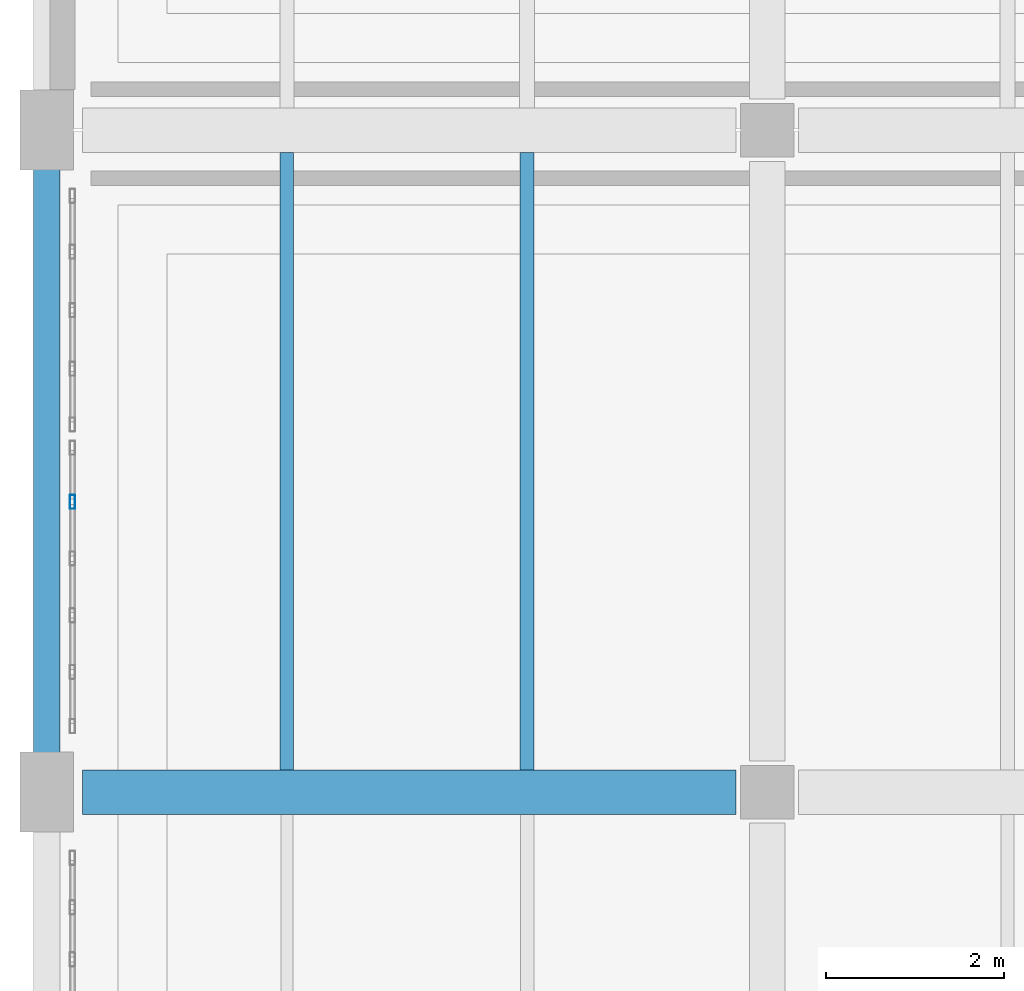
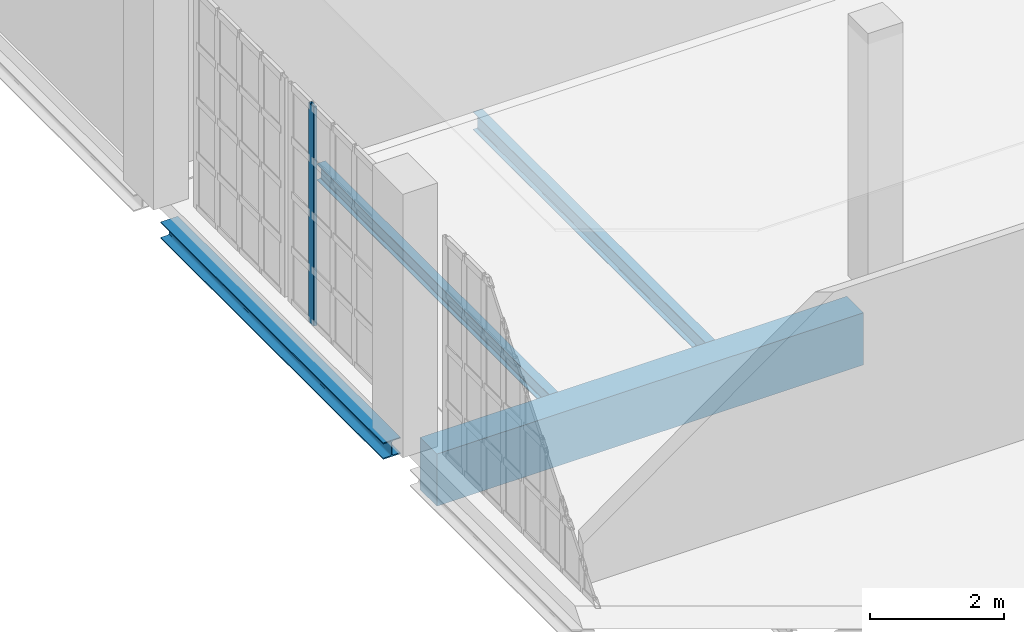
# One storey, part 18 of 104: 4 beams, 1 member, 1 element without a shape of its own.
"""IFC4 building model written with IfcOpenShell, lengths in metres."""

from ifc_helpers import new_model, si_unit, direction, frame, origin, origin_2d, place, context, subcontext, project, spatial, rectangle, hollow_rectangle, i_section, extrude, material, material_profile, profile_set, type_object, element, aggregate, save


model = new_model("IFC4")

# Units and contexts
model_context = context("Model", 3, precision=1e-05, world=origin(), true_north=direction((0.0, 1.0)))
body_context = subcontext(model_context, "Body", "Model", "MODEL_VIEW")
ifc_project = project(units=[si_unit("LENGTHUNIT", "METRE"), si_unit("AREAUNIT", "SQUARE_METRE"), si_unit("VOLUMEUNIT", "CUBIC_METRE"), si_unit("PLANEANGLEUNIT", "RADIAN"), si_unit("MASSUNIT", "GRAM", prefix="KILO")], contexts=[model_context])

# Site, building, storey
site_placement = place(None, origin())
site = spatial("IfcSite", under=ifc_project, at=site_placement, CompositionType="ELEMENT")
building_placement = place(site_placement, origin())
building = spatial("IfcBuilding", under=site, at=building_placement, Name="Kaelora Sail Theatre", CompositionType="ELEMENT")
storey_placement = place(building_placement, frame((0.0, 0.0, 5.39990234375)))
storey = spatial("IfcBuildingStorey", under=building, at=storey_placement, Name="L01", CompositionType="ELEMENT", Elevation=5.39990234375)

# Curtain wall, member
ifc_material_1 = material(Name="Anodised aluminium and solar-control low-E IGU", Category="aluminium")
curtain_wall_type = type_object("IfcCurtainWallType", Name="ARC-CW-CW-PROW", PredefinedType="NOTDEFINED", material=ifc_material_1)
curtain_wall_placement = place(storey_placement, origin())
curtain_wall = element("IfcCurtainWall", 1, at=curtain_wall_placement, inside=storey, type_object=curtain_wall_type, Name="Glazed Colonnade/Courtyard Curtain Wall FW1-W-L01-03", PredefinedType="NOTDEFINED")
ifc_material_2 = material(Name="Anodised aluminium 6063-T6", Category="aluminium")
ifc_material_profile_1 = material_profile(ifc_material_2, hollow_rectangle(XDim=0.06005859375, YDim=0.159912109375, WallThickness=0.00390625, InnerFilletRadius=0.00390625, OuterFilletRadius=0.008056640625, at=origin_2d()), Name="ALU-MULL 60x160x4")
ifc_profile_set_1 = profile_set([ifc_material_profile_1], Name="Anodised aluminium 6063-T6")
member_type = type_object("IfcMemberType", Name="ARC-MEM-ML-160", PredefinedType="MULLION", material=ifc_profile_set_1)
member_placement = place(storey_placement, frame((1.7900390625, 79.162109375, 0.0), z_axis=(0.0, 0.0, 1.0), x_axis=(-1.0, 0.0, 0.0)))
member = element("IfcMember", 2, at=member_placement, type_object=member_type, Name="CW-PROW mullion 5", PredefinedType="MULLION", context=body_context, shape_type="SweptSolid", body=[
    extrude(hollow_rectangle(XDim=0.06005859375, YDim=0.159912109375, WallThickness=0.00390625, InnerFilletRadius=0.00390625, OuterFilletRadius=0.008056640625, at=origin_2d()), origin(), (0.0, 0.0, 1.0), 3.987060546875),
])
aggregate(curtain_wall, [member])

# Beams
ifc_material_3 = material(Name="Concrete C45/55", Category="concrete")
ifc_material_profile_2 = material_profile(ifc_material_3, rectangle(XDim=0.5, YDim=0.949951171875, at=origin_2d()), Name="RC-GRD 500x950")
ifc_profile_set_2 = profile_set([ifc_material_profile_2], Name="Concrete C45/55")
beam_type_1 = type_object("IfcBeamType", Name="STR-BM-GR-RC5095", PredefinedType="T_BEAM", material=ifc_profile_set_2)
beam_1_placement = place(storey_placement, frame((1.89990234375, 75.89990234375, -0.77001953125), z_axis=(1.0, 0.0, 0.0), x_axis=(0.0, 1.0, 0.0)))
element("IfcBeam", 3, at=beam_1_placement, inside=storey, type_object=beam_type_1, Name="Primary beam K 1-2 (L01)", PredefinedType="T_BEAM", context=body_context, shape_type="SweptSolid", body=[
    extrude(rectangle(XDim=0.5, YDim=0.949951171875, at=origin_2d()), origin(), (0.0, 0.0, 1.0), 7.35009765625),
])
ifc_material_4 = material(Name="Steel S355", Category="steel")
ifc_material_profile_3 = material_profile(ifc_material_4, i_section(OverallWidth=0.14990234375, OverallDepth=0.300048828125, WebThickness=0.007080078125, FlangeThickness=0.0107421875, FilletRadius=0.014892578125, at=origin_2d()), Name="IPE 300")
ifc_profile_set_3 = profile_set([ifc_material_profile_3], Name="Steel S355")
beam_type_2 = type_object("IfcBeamType", Name="STR-BM-JS-IPE300", PredefinedType="JOIST", material=ifc_profile_set_3)
beam_2_placement = place(storey_placement, frame((4.199951171875, 76.14990234375, -0.44482421875), z_axis=(0.0, 1.0, 0.0), x_axis=(-1.0, 0.0, 0.0)))
element("IfcBeam", 4, at=beam_2_placement, inside=storey, type_object=beam_type_2, Name="Secondary floor joist 1/K-1 (L01)", PredefinedType="JOIST", context=body_context, shape_type="SweptSolid", body=[
    extrude(i_section(OverallWidth=0.14990234375, OverallDepth=0.300048828125, WebThickness=0.007080078125, FlangeThickness=0.0107421875, FilletRadius=0.014892578125, at=origin_2d()), origin(), (0.0, 0.0, 1.0), 6.940185546875),
])
ifc_material_5 = material(Name="Steel S355", Category="steel")
ifc_material_profile_4 = material_profile(ifc_material_5, i_section(OverallWidth=0.159912109375, OverallDepth=0.330078125, WebThickness=0.007568359375, FlangeThickness=0.011474609375, FilletRadius=0.01806640625, at=origin_2d()), Name="IPE 330")
ifc_profile_set_4 = profile_set([ifc_material_profile_4], Name="Steel S355")
beam_type_3 = type_object("IfcBeamType", Name="STR-BM-JS-IPE330", PredefinedType="JOIST", material=ifc_profile_set_4)
beam_3_placement = place(storey_placement, frame((6.89990234375, 76.14990234375, -0.4599609375), z_axis=(0.0, 1.0, 0.0), x_axis=(-1.0, 0.0, 0.0)))
element("IfcBeam", 5, at=beam_3_placement, inside=storey, type_object=beam_type_3, Name="Secondary floor joist 1/K-2 (L01)", PredefinedType="JOIST", context=body_context, shape_type="SweptSolid", body=[
    extrude(i_section(OverallWidth=0.159912109375, OverallDepth=0.330078125, WebThickness=0.007568359375, FlangeThickness=0.011474609375, FilletRadius=0.01806640625, at=origin_2d()), origin(), (0.0, 0.0, 1.0), 6.940185546875),
])
ifc_material_6 = material(Name="Steel S355", Category="steel")
ifc_material_profile_5 = material_profile(ifc_material_6, i_section(OverallWidth=0.300048828125, OverallDepth=0.300048828125, WebThickness=0.010986328125, FlangeThickness=0.01904296875, FilletRadius=0.027099609375, at=origin_2d()), Name="HEB 300")
ifc_profile_set_5 = profile_set([ifc_material_profile_5], Name="Steel S355")
beam_type_4 = type_object("IfcBeamType", Name="STR-BM-SP-HEB300", PredefinedType="SPANDREL", material=ifc_profile_set_5)
beam_4_placement = place(storey_placement, frame((1.5, 76.300048828125, -0.44482421875), z_axis=(0.0, 1.0, 0.0), x_axis=(-1.0, 0.0, 0.0)))
element("IfcBeam", 6, at=beam_4_placement, inside=storey, type_object=beam_type_4, Name="Primary beam 1 K-L (L01)", PredefinedType="SPANDREL", context=body_context, shape_type="SweptSolid", body=[
    extrude(i_section(OverallWidth=0.300048828125, OverallDepth=0.300048828125, WebThickness=0.010986328125, FlangeThickness=0.01904296875, FilletRadius=0.027099609375, at=origin_2d()), origin(), (0.0, 0.0, 1.0), 6.639892578125),
])

save(model, "model.ifc")
